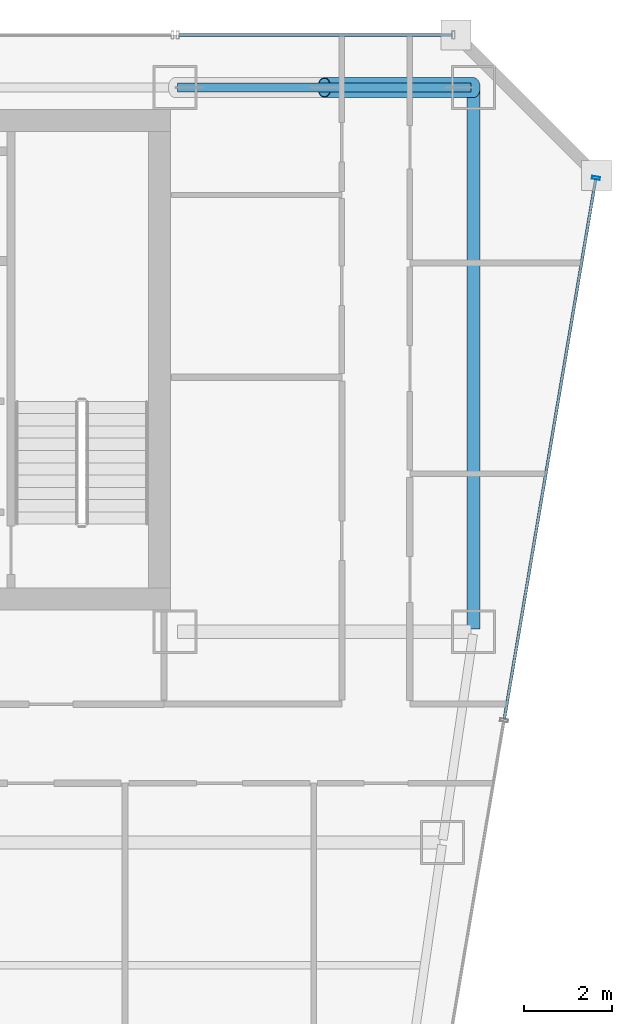
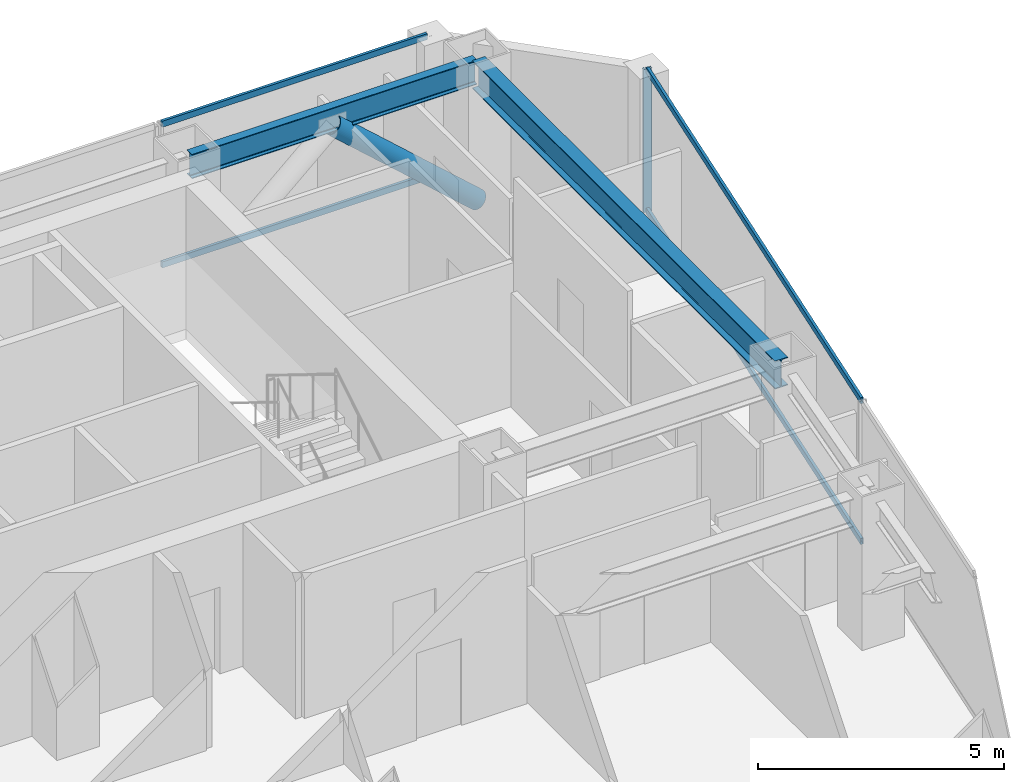
# One storey, part 26 of 36: 6 members, 2 beams, 2 elements without a shape of their own.
"""IFC4 building model written with IfcOpenShell, lengths in metres."""

from ifc_helpers import new_model, si_unit, direction, frame, origin, origin_2d, place, context, subcontext, project, spatial, hollow_rectangle, hollow_circle, i_section, extrude, material, material_profile, profile_set, type_object, element, aggregate, save


model = new_model("IFC4")

# Units and contexts
model_context = context("Model", 3, precision=1e-05, world=origin(), true_north=direction((0.0, 1.0)))
body_context = subcontext(model_context, "Body", "Model", "MODEL_VIEW")
ifc_project = project(units=[si_unit("LENGTHUNIT", "METRE"), si_unit("AREAUNIT", "SQUARE_METRE"), si_unit("VOLUMEUNIT", "CUBIC_METRE"), si_unit("PLANEANGLEUNIT", "RADIAN"), si_unit("MASSUNIT", "GRAM", prefix="KILO")], contexts=[model_context])

# Site, building, storey
site_placement = place(None, origin())
site = spatial("IfcSite", under=ifc_project, at=site_placement, CompositionType="ELEMENT")
building_placement = place(site_placement, origin())
building = spatial("IfcBuilding", under=site, at=building_placement, Name="Saevonmaru Cultural Tower", CompositionType="ELEMENT")
storey_placement = place(building_placement, frame((0.0, 0.0, 171.39990234375)))
storey = spatial("IfcBuildingStorey", under=building, at=storey_placement, Name="L38", CompositionType="ELEMENT", Elevation=171.39990234375)

# Beams
ifc_material_1 = material(Name="Steel SM355", Category="steel")
ifc_material_profile_1 = material_profile(ifc_material_1, i_section(OverallWidth=0.300048828125, OverallDepth=0.699951171875, WebThickness=0.012939453125, FlangeThickness=0.02392578125, FilletRadius=0.02587890625, at=origin_2d()), Name="H-700x300x13x24")
ifc_profile_set_1 = profile_set([ifc_material_profile_1], Name="Steel SM355")
beam_type_1 = type_object("IfcBeamType", Name="BM-G-H700", PredefinedType="BEAM", material=ifc_profile_set_1)
beam_1_placement = place(storey_placement, frame((53.199951171875, 54.739990234375, 3.2001953125), z_axis=(0.0, -1.0, 0.0), x_axis=(1.0, 0.0, 0.0)))
element("IfcBeam", 1, at=beam_1_placement, inside=storey, type_object=beam_type_1, Name="L38 Spine Transverse Girder E", PredefinedType="BEAM", context=body_context, shape_type="SweptSolid", body=[
    extrude(i_section(OverallWidth=0.300048828125, OverallDepth=0.699951171875, WebThickness=0.012939453125, FlangeThickness=0.02392578125, FilletRadius=0.02587890625, at=origin_2d()), origin(), (0.0, 0.0, 1.0), 12.280029296875),
])
ifc_material_profile_2 = material_profile(ifc_material_1, i_section(OverallWidth=0.199951171875, OverallDepth=0.60009765625, WebThickness=0.010986328125, FlangeThickness=0.01708984375, FilletRadius=0.02197265625, at=origin_2d()), Name="H-600x200x11x17")
ifc_profile_set_2 = profile_set([ifc_material_profile_2], Name="Steel SM355")
beam_type_2 = type_object("IfcBeamType", Name="BM-SP-H600", PredefinedType="SPANDREL", material=ifc_profile_set_2)
beam_2_placement = place(storey_placement, frame((46.4599609375, 54.800048828125, 3.25), z_axis=(1.0, 0.0, 0.0), x_axis=(0.0, 1.0, 0.0)))
element("IfcBeam", 2, at=beam_2_placement, inside=storey, type_object=beam_type_2, Name="L38 North Spine Girder 5", PredefinedType="SPANDREL", context=body_context, shape_type="SweptSolid", body=[
    extrude(i_section(OverallWidth=0.199951171875, OverallDepth=0.60009765625, WebThickness=0.010986328125, FlangeThickness=0.01708984375, FilletRadius=0.02197265625, at=origin_2d()), origin(), (0.0, 0.0, 1.0), 6.679931640625),
])

# Member
ifc_material_2 = material(Name="Steel SM420", Category="steel")
ifc_material_profile_3 = material_profile(ifc_material_2, hollow_circle(Radius=0.228515625, WallThickness=0.02001953125, at=origin_2d()), Name="CHS-457.2x20")
ifc_profile_set_3 = profile_set([ifc_material_profile_3], Name="Steel SM420")
member_type_1 = type_object("IfcMemberType", Name="MB-PBR-CHS457", PredefinedType="BRACE", material=ifc_profile_set_3)
member_1_placement = place(storey_placement, frame((53.199951171875, 54.800048828125, 0.02001953125), z_axis=(-0.744366945704, 0.0, 0.667770806597), x_axis=(0.0, -1.0, 0.0)))
element("IfcMember", 3, at=member_1_placement, inside=storey, type_object=member_type_1, Name="L38 Perimeter Braced-Tube Diagonal EN2", PredefinedType="BRACE", context=body_context, shape_type="SweptSolid", body=[
    extrude(hollow_circle(Radius=0.228515625, WallThickness=0.02001953125, at=origin_2d()), origin(), (0.0, 0.0, 1.0), 4.567626953125),
])

# Curtain wall, members
ifc_material_3 = material(Name="Satin Bronze Anodised Aluminium", Category="aluminium")
curtain_wall_type = type_object("IfcCurtainWallType", Name="CW-TYP-A", PredefinedType="NOTDEFINED", material=ifc_material_3)
curtain_wall_1_placement = place(storey_placement, origin())
curtain_wall_1 = element("IfcCurtainWall", 4, at=curtain_wall_1_placement, inside=storey, type_object=curtain_wall_type, Name="L38 Unitised Curtain Wall E8", PredefinedType="NOTDEFINED")
ifc_material_profile_4 = material_profile(ifc_material_3, hollow_rectangle(XDim=0.06494140625, YDim=0.179931640625, WallThickness=0.00390625, at=origin_2d()), Name="ALU-MULL-180x65x4")
ifc_profile_set_4 = profile_set([ifc_material_profile_4], Name="Satin Bronze Anodised Aluminium")
member_type_2 = type_object("IfcMemberType", Name="ML-CW-180x65", PredefinedType="MULLION", material=ifc_profile_set_4)
member_2_placement = place(storey_placement, frame((55.989990234375, 52.74072265625, 0.0), z_axis=(0.0, 0.0, 1.0), x_axis=(0.16692169721, 0.985970155228, 0.0)))
member_2 = element("IfcMember", 5, at=member_2_placement, type_object=member_type_2, Name="CW-TW-L38-E8 mullion 4", PredefinedType="MULLION", context=body_context, shape_type="SweptSolid", body=[
    extrude(hollow_rectangle(XDim=0.06494140625, YDim=0.179931640625, WallThickness=0.00390625, at=origin_2d()), origin(), (0.0, 0.0, 1.0), 3.550048828125),
])
ifc_material_profile_5 = material_profile(ifc_material_3, hollow_rectangle(XDim=0.06494140625, YDim=0.14990234375, WallThickness=0.00390625, at=origin_2d()), Name="ALU-TRAN-150x65x4")
ifc_profile_set_5 = profile_set([ifc_material_profile_5], Name="Satin Bronze Anodised Aluminium")
member_type_3 = type_object("IfcMemberType", Name="TR-CW-150x65", PredefinedType="USERDEFINED", material=ifc_profile_set_5)
member_3_placement = place(storey_placement, frame((53.90283203125, 40.412353515625, 0.03271484375), z_axis=(0.166925351203, 0.985969536611, 0.0), x_axis=(-0.985969536611, 0.166925351203, 0.0)))
member_3 = element("IfcMember", 6, at=member_3_placement, type_object=member_type_3, Name="CW-TW-L38-E8 transom 3.1", ObjectType="TRANSOM", PredefinedType="USERDEFINED", context=body_context, shape_type="SweptSolid", body=[
    extrude(hollow_rectangle(XDim=0.06494140625, YDim=0.14990234375, WallThickness=0.00390625, at=origin_2d()), origin(), (0.0, 0.0, 1.0), 12.471435546875),
])
member_4_placement = place(storey_placement, frame((53.90283203125, 40.412353515625, 3.517578125), z_axis=(0.166925351203, 0.985969536611, 0.0), x_axis=(-0.985969536611, 0.166925351203, 0.0)))
member_4 = element("IfcMember", 7, at=member_4_placement, type_object=member_type_3, Name="CW-TW-L38-E8 transom 3.2", ObjectType="TRANSOM", PredefinedType="USERDEFINED", context=body_context, shape_type="SweptSolid", body=[
    extrude(hollow_rectangle(XDim=0.06494140625, YDim=0.14990234375, WallThickness=0.00390625, at=origin_2d()), origin(), (0.0, 0.0, 1.0), 12.471435546875),
])
aggregate(curtain_wall_1, [member_2, member_3, member_4])

curtain_wall_2_placement = place(storey_placement, origin())
curtain_wall_2 = element("IfcCurtainWall", 8, at=curtain_wall_2_placement, inside=storey, type_object=curtain_wall_type, Name="L38 East Braced Bay Spandrel Curtain Wall E10A", PredefinedType="NOTDEFINED")
member_5_placement = place(storey_placement, frame((52.70751953125, 56.0, 0.03271484375), z_axis=(-1.0, 0.0, 0.0), x_axis=(0.0, -1.0, 0.0)))
member_5 = element("IfcMember", 9, at=member_5_placement, type_object=member_type_3, Name="CW-TW-L38-E10A transom 1.1", ObjectType="TRANSOM", PredefinedType="USERDEFINED", context=body_context, shape_type="SweptSolid", body=[
    extrude(hollow_rectangle(XDim=0.06494140625, YDim=0.14990234375, WallThickness=0.00390625, at=origin_2d()), origin(), (0.0, 0.0, 1.0), 6.215087890625),
])
member_6_placement = place(storey_placement, frame((52.70751953125, 56.0, 3.517578125), z_axis=(-1.0, 0.0, 0.0), x_axis=(0.0, -1.0, 0.0)))
member_6 = element("IfcMember", 10, at=member_6_placement, type_object=member_type_3, Name="CW-TW-L38-E10A transom 1.2", ObjectType="TRANSOM", PredefinedType="USERDEFINED", context=body_context, shape_type="SweptSolid", body=[
    extrude(hollow_rectangle(XDim=0.06494140625, YDim=0.14990234375, WallThickness=0.00390625, at=origin_2d()), origin(), (0.0, 0.0, 1.0), 6.215087890625),
])
aggregate(curtain_wall_2, [member_5, member_6])

save(model, "model.ifc")
